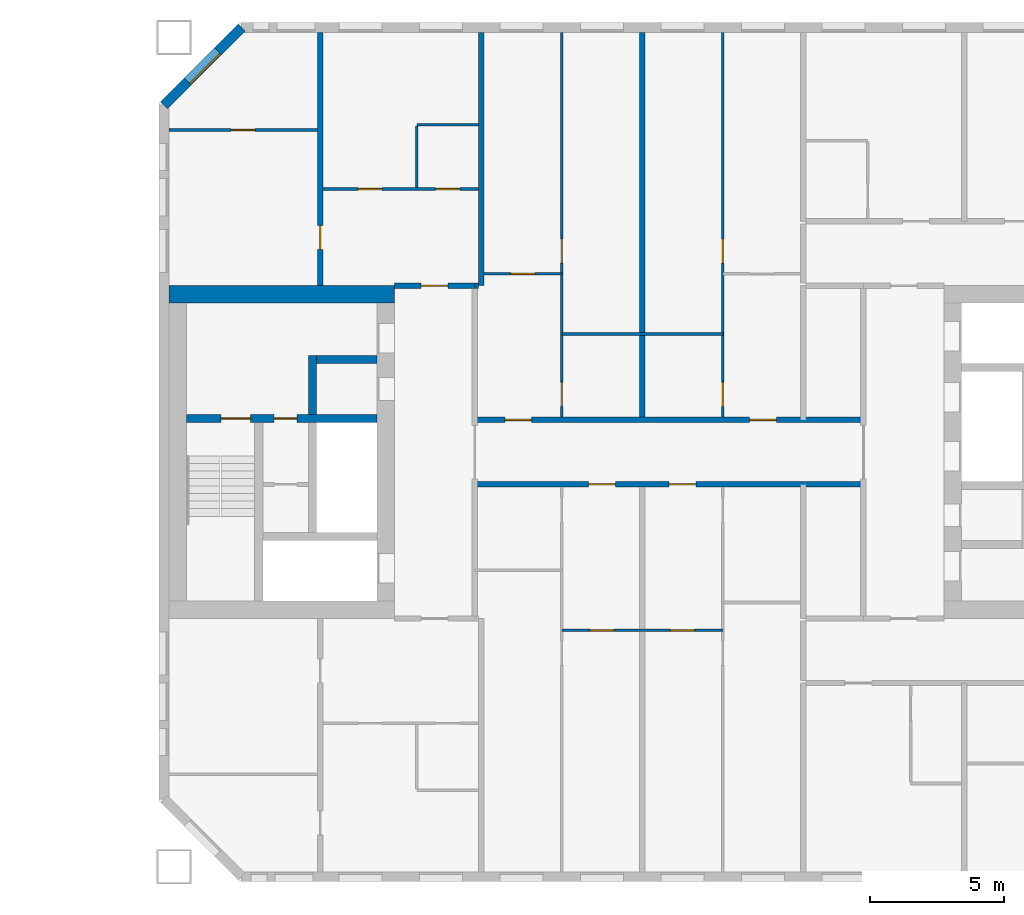
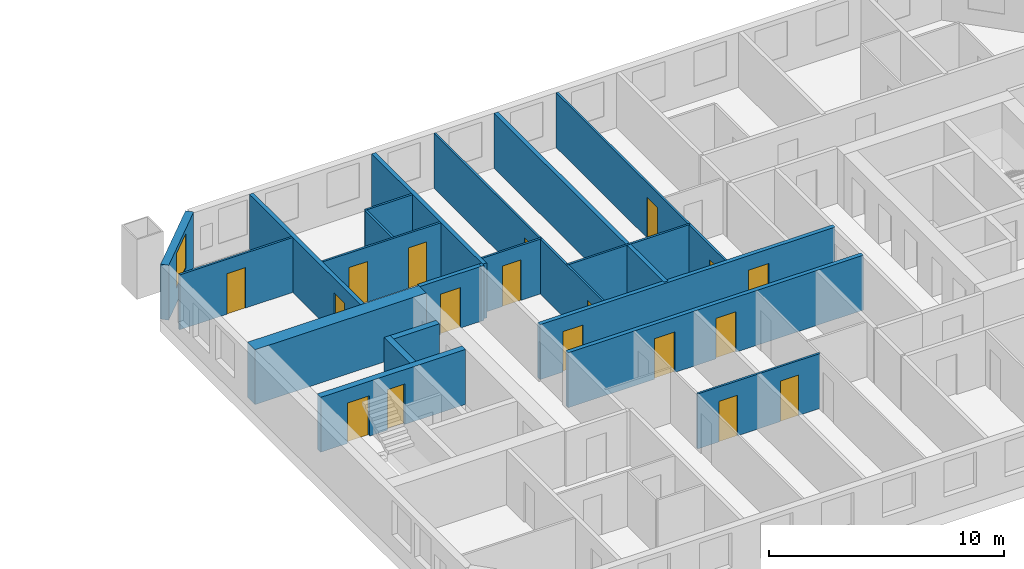
# One storey, part 11 of 16: 21 walls, 18 doors, 1 window, 19 openings.
"""IFC4 building model written with IfcOpenShell, lengths in metres."""

from ifc_helpers import new_model, si_unit, direction, frame, frame_2d, origin, place, context, subcontext, project, spatial, rectangle, extrude, material, layer, layer_set, type_object, element, fill, save


model = new_model("IFC4")

# Units and contexts
model_context = context("Model", 3, precision=1e-05, world=origin(), true_north=direction((0.0, 1.0)))
body_context = subcontext(model_context, "Body", "Model", "MODEL_VIEW")
ifc_project = project(units=[si_unit("LENGTHUNIT", "METRE"), si_unit("AREAUNIT", "SQUARE_METRE"), si_unit("VOLUMEUNIT", "CUBIC_METRE"), si_unit("PLANEANGLEUNIT", "RADIAN"), si_unit("MASSUNIT", "GRAM", prefix="KILO")], contexts=[model_context])

# Site, building, storey
site_placement = place(None, origin())
site = spatial("IfcSite", under=ifc_project, at=site_placement, CompositionType="ELEMENT")
building_placement = place(site_placement, origin())
building = spatial("IfcBuilding", under=site, at=building_placement, Name="Tuart Gate Housing", CompositionType="ELEMENT")
storey_placement = place(building_placement, frame((0.0, 0.0, 96.39990234375)))
storey = spatial("IfcBuildingStorey", under=building, at=storey_placement, Name="L26", CompositionType="ELEMENT", Elevation=96.39990234375)

# Wall, opening, window
ifc_material_1 = material(Name="Brick", Category="masonry")
ifc_layer_1 = layer(ifc_material_1, 0.360107421875)
ifc_layer_set_1 = layer_set([ifc_layer_1], Name="Brick pier and spandrel wall 360")
wall_type_1 = type_object("IfcWallType", Name="Brick pier and spandrel wall 360", PredefinedType="STANDARD", material=ifc_layer_set_1)
wall_1_placement = place(storey_placement, frame((134.07470703125, 85.820068359375, 0.0), z_axis=(0.0, 0.0, 1.0), x_axis=(-0.707106781187, -0.707106781187, 0.0)))
wall_1 = element("IfcWall", 1, at=wall_1_placement, inside=storey, type_object=wall_type_1, Name="External wall B-NW L26", PredefinedType="STANDARD", context=body_context, shape_type="SweptSolid", body=[
    extrude(rectangle(XDim=4.09375, YDim=0.360107421875, at=frame_2d((2.046875, 0.0))), origin(), (0.0, 0.0, 1.0), 2.85009765625),
])
opening_1_placement = place(wall_1_placement, frame((1.2470703125, 0.0, 0.800048828125)))
opening_1 = element("IfcOpeningElement", 2, at=opening_1_placement, cuts=wall_1, Name="Opening W1", PredefinedType="OPENING", context=body_context, shape_type="SweptSolid", body=[
    extrude(rectangle(XDim=1.60009765625, YDim=1.800048828125, at=frame_2d((0.800048828125, 0.89990234375))), frame((0.0, 0.18994140625, 0.0), z_axis=(0.0, -1.0, 0.0), x_axis=(1.0, 0.0, 0.0)), (0.0, 0.0, 1.0), 0.380126953125),
])
ifc_material_2 = material(Name="Aluminium frame with clear glass", Category="aluminium")
window_type = type_object("IfcWindowType", Name="Punched window 1600 x 1800", PartitioningType="SINGLE_PANEL", PredefinedType="WINDOW", material=ifc_material_2)
window_placement = place(opening_1_placement, origin())
window = element("IfcWindow", 3, at=window_placement, inside=storey, type_object=window_type, Name="Window W1", OverallHeight=1.800048828125, OverallWidth=1.60009765625, PartitioningType="SINGLE_PANEL", PredefinedType="WINDOW", context=body_context, shape_type="SweptSolid", body=[
    extrude(rectangle(XDim=1.60009765625, YDim=1.800048828125, at=frame_2d((0.800048828125, 0.89990234375))), frame((0.0, 0.150146484375, 0.0), z_axis=(0.0, -1.0, 0.0), x_axis=(1.0, 0.0, 0.0)), (0.0, 0.0, 1.0), 0.06005859375),
])
fill(opening_1, window)

# Wall, openings, doors
ifc_material_3 = material(Name="Concrete C50", Category="concrete")
ifc_layer_2 = layer(ifc_material_3, 0.300048828125)
ifc_layer_set_2 = layer_set([ifc_layer_2], Name="Core wall 300 C50")
wall_type_2 = type_object("IfcWallType", Name="Core wall 300 C50", PredefinedType="SHEAR", material=ifc_layer_set_2)
wall_2_placement = place(storey_placement, frame((139.110107421875, 71.25, 0.0), z_axis=(0.0, 0.0, 1.0), x_axis=(-1.0, 0.0, 0.0)))
wall_2 = element("IfcWall", 4, at=wall_2_placement, inside=storey, type_object=wall_type_2, Name="Core wall BG.3", PredefinedType="SHEAR", context=body_context, shape_type="SweptSolid", body=[
    extrude(rectangle(XDim=7.10009765625, YDim=0.300048828125, at=frame_2d((3.550048828125, 0.0))), origin(), (0.0, 0.0, 1.0), 2.85009765625),
])
opening_2_placement = place(wall_2_placement, frame((4.699951171875, 0.0, 0.0)))
opening_2 = element("IfcOpeningElement", 5, at=opening_2_placement, cuts=wall_2, Name="Opening D1144", PredefinedType="OPENING", context=body_context, shape_type="SweptSolid", body=[
    extrude(rectangle(XDim=1.10009765625, YDim=2.10009765625, at=frame_2d((0.550048828125, 1.050048828125))), frame((0.0, 0.159912109375, 0.0), z_axis=(0.0, -1.0, 0.0), x_axis=(1.0, 0.0, 0.0)), (0.0, 0.0, 1.0), 0.320068359375),
])
opening_3_placement = place(wall_2_placement, frame((2.97509765625, 0.0, 0.0)))
opening_3 = element("IfcOpeningElement", 6, at=opening_3_placement, cuts=wall_2, Name="Opening D1143", PredefinedType="OPENING", context=body_context, shape_type="SweptSolid", body=[
    extrude(rectangle(XDim=0.85009765625, YDim=2.10009765625, at=frame_2d((0.425048828125, 1.050048828125))), frame((0.0, 0.159912109375, 0.0), z_axis=(0.0, -1.0, 0.0), x_axis=(1.0, 0.0, 0.0)), (0.0, 0.0, 1.0), 0.320068359375),
])
ifc_material_4 = material(Name="Steel fire door", Category="steel")
door_type_1 = type_object("IfcDoorType", Name="Riser door 850 x 2100", OperationType="SINGLE_SWING_LEFT", PredefinedType="DOOR", material=ifc_material_4)
door_1_placement = place(opening_3_placement, origin())
door_1 = element("IfcDoor", 7, at=door_1_placement, inside=storey, type_object=door_type_1, Name="Service room door BG.W1", OperationType="SINGLE_SWING_LEFT", OverallHeight=2.10009765625, OverallWidth=0.85009765625, PredefinedType="DOOR", context=body_context, shape_type="SweptSolid", body=[
    extrude(rectangle(XDim=0.85009765625, YDim=2.10009765625, at=frame_2d((0.425048828125, 1.050048828125))), frame((0.0, 0.02490234375, 0.0), z_axis=(0.0, -1.0, 0.0), x_axis=(1.0, 0.0, 0.0)), (0.0, 0.0, 1.0), 0.050048828125),
])
fill(opening_3, door_1)
ifc_material_5 = material(Name="Steel fire door", Category="steel")
door_type_2 = type_object("IfcDoorType", Name="Stair door 1100 x 2100", OperationType="SINGLE_SWING_LEFT", PredefinedType="DOOR", material=ifc_material_5)
door_2_placement = place(opening_2_placement, origin())
door_2 = element("IfcDoor", 8, at=door_2_placement, inside=storey, type_object=door_type_2, Name="Stair door BG.SD", OperationType="SINGLE_SWING_LEFT", OverallHeight=2.10009765625, OverallWidth=1.10009765625, PredefinedType="DOOR", context=body_context, shape_type="SweptSolid", body=[
    extrude(rectangle(XDim=1.10009765625, YDim=2.10009765625, at=frame_2d((0.550048828125, 1.050048828125))), frame((0.0, 0.02490234375, 0.0), z_axis=(0.0, -1.0, 0.0), x_axis=(1.0, 0.0, 0.0)), (0.0, 0.0, 1.0), 0.050048828125),
])
fill(opening_2, door_2)

# Walls
wall_3_placement = place(storey_placement, frame((139.110107421875, 73.449951171875, 0.0), z_axis=(0.0, 0.0, 1.0), x_axis=(-1.0, 0.0, 0.0)))
element("IfcWall", 9, at=wall_3_placement, inside=storey, type_object=wall_type_2, Name="Core wall BG.4", PredefinedType="SHEAR", context=body_context, shape_type="SweptSolid", body=[
    extrude(rectangle(XDim=2.25, YDim=0.300048828125, at=frame_2d((1.125, 0.0))), origin(), (0.0, 0.0, 1.0), 2.85009765625),
])
wall_4_placement = place(storey_placement, frame((136.7099609375, 71.39990234375, 0.0), z_axis=(0.0, 0.0, 1.0), x_axis=(0.0, 1.0, 0.0)))
element("IfcWall", 10, at=wall_4_placement, inside=storey, type_object=wall_type_2, Name="Core wall BG.6", PredefinedType="SHEAR", context=body_context, shape_type="SweptSolid", body=[
    extrude(rectangle(XDim=2.2001953125, YDim=0.300048828125, at=frame_2d((1.10009765625, 0.0))), origin(), (0.0, 0.0, 1.0), 2.85009765625),
])
ifc_material_6 = material(Name="Concrete C50", Category="concrete")
ifc_layer_3 = layer(ifc_material_6, 0.64990234375)
ifc_layer_set_3 = layer_set([ifc_layer_3], Name="Core wall 650 C50")
wall_type_3 = type_object("IfcWallType", Name="Core wall 650 C50", PredefinedType="SHEAR", material=ifc_layer_set_3)
wall_5_placement = place(storey_placement, frame((139.760009765625, 75.875, 0.0), z_axis=(0.0, 0.0, 1.0), x_axis=(-1.0, 0.0, 0.0)))
element("IfcWall", 11, at=wall_5_placement, inside=storey, type_object=wall_type_3, Name="Core wall BG north", PredefinedType="SHEAR", context=body_context, shape_type="SweptSolid", body=[
    extrude(rectangle(XDim=8.39990234375, YDim=0.64990234375, at=frame_2d((4.199951171875, 0.0))), origin(), (0.0, 0.0, 1.0), 2.85009765625),
])

# Wall, openings, doors
ifc_material_7 = material(Name="Concrete masonry 15 MPa", Category="masonry")
ifc_layer_4 = layer(ifc_material_7, 0.199951171875)
ifc_layer_set_4 = layer_set([ifc_layer_4], Name="Corridor wall masonry 200")
wall_type_4 = type_object("IfcWallType", Name="Corridor wall masonry 200", PredefinedType="PARTITIONING", material=ifc_layer_set_4)
wall_6_placement = place(storey_placement, frame((142.760009765625, 68.800048828125, 0.0), z_axis=(0.0, 0.0, 1.0), x_axis=(1.0, 0.0, 0.0)))
wall_6 = element("IfcWall", 12, at=wall_6_placement, inside=storey, type_object=wall_type_4, Name="Corridor wall masonry 200", PredefinedType="PARTITIONING", context=body_context, shape_type="SweptSolid", body=[
    extrude(rectangle(XDim=14.47998046875, YDim=0.199951171875, at=frame_2d((7.239990234375, 0.0))), origin(), (0.0, 0.0, 1.0), 2.85009765625),
])
opening_4_placement = place(wall_6_placement, frame((4.239990234375, 0.0, 0.0)))
opening_4 = element("IfcOpeningElement", 13, at=opening_4_placement, cuts=wall_6, Name="Opening D1156", PredefinedType="OPENING", context=body_context, shape_type="SweptSolid", body=[
    extrude(rectangle(XDim=1.0, YDim=2.10009765625, at=frame_2d((0.5, 1.050048828125))), frame((0.0, 0.10986328125, 0.0), z_axis=(0.0, -1.0, 0.0), x_axis=(1.0, 0.0, 0.0)), (0.0, 0.0, 1.0), 0.219970703125),
])
opening_5_placement = place(wall_6_placement, frame((7.239990234375, 0.0, 0.0)))
opening_5 = element("IfcOpeningElement", 14, at=opening_5_placement, cuts=wall_6, Name="Opening D1157", PredefinedType="OPENING", context=body_context, shape_type="SweptSolid", body=[
    extrude(rectangle(XDim=1.0, YDim=2.10009765625, at=frame_2d((0.5, 1.050048828125))), frame((0.0, 0.10986328125, 0.0), z_axis=(0.0, -1.0, 0.0), x_axis=(1.0, 0.0, 0.0)), (0.0, 0.0, 1.0), 0.219970703125),
])
ifc_material_8 = material(Name="Timber door leaf in steel frame", Category="steel")
door_type_3 = type_object("IfcDoorType", Name="Flat entrance door 1000 RH", OperationType="SINGLE_SWING_RIGHT", PredefinedType="DOOR", material=ifc_material_8)
door_3_placement = place(opening_4_placement, frame((1.0, 0.0, 0.0), z_axis=(0.0, 0.0, 1.0), x_axis=(-1.0, 0.0, 0.0)))
door_3 = element("IfcDoor", 15, at=door_3_placement, inside=storey, type_object=door_type_3, Name="Flat entrance door", OperationType="SINGLE_SWING_RIGHT", OverallHeight=2.10009765625, OverallWidth=1.0, PredefinedType="DOOR", context=body_context, shape_type="SweptSolid", body=[
    extrude(rectangle(XDim=1.0, YDim=2.10009765625, at=frame_2d((0.5, 1.050048828125))), frame((0.0, 0.025146484375, 0.0), z_axis=(0.0, -1.0, 0.0), x_axis=(1.0, 0.0, 0.0)), (0.0, 0.0, 1.0), 0.050048828125),
])
fill(opening_4, door_3)
door_4_placement = place(opening_5_placement, frame((1.0, 0.0, 0.0), z_axis=(0.0, 0.0, 1.0), x_axis=(-1.0, 0.0, 0.0)))
door_4 = element("IfcDoor", 16, at=door_4_placement, inside=storey, type_object=door_type_3, Name="Flat entrance door", OperationType="SINGLE_SWING_RIGHT", OverallHeight=2.10009765625, OverallWidth=1.0, PredefinedType="DOOR", context=body_context, shape_type="SweptSolid", body=[
    extrude(rectangle(XDim=1.0, YDim=2.10009765625, at=frame_2d((0.5, 1.050048828125))), frame((0.0, 0.025146484375, 0.0), z_axis=(0.0, -1.0, 0.0), x_axis=(1.0, 0.0, 0.0)), (0.0, 0.0, 1.0), 0.050048828125),
])
fill(opening_5, door_4)

wall_7_placement = place(storey_placement, frame((142.760009765625, 71.199951171875, 0.0), z_axis=(0.0, 0.0, 1.0), x_axis=(1.0, 0.0, 0.0)))
wall_7 = element("IfcWall", 17, at=wall_7_placement, inside=storey, type_object=wall_type_4, Name="Corridor wall masonry 200", PredefinedType="PARTITIONING", context=body_context, shape_type="SweptSolid", body=[
    extrude(rectangle(XDim=14.47998046875, YDim=0.199951171875, at=frame_2d((7.239990234375, 0.0))), origin(), (0.0, 0.0, 1.0), 2.85009765625),
])
opening_6_placement = place(wall_7_placement, frame((1.1201171875, 0.0, 0.0)))
opening_6 = element("IfcOpeningElement", 18, at=opening_6_placement, cuts=wall_7, Name="Opening D1145", PredefinedType="OPENING", context=body_context, shape_type="SweptSolid", body=[
    extrude(rectangle(XDim=1.0, YDim=2.10009765625, at=frame_2d((0.5, 1.050048828125))), frame((0.0, 0.10986328125, 0.0), z_axis=(0.0, -1.0, 0.0), x_axis=(1.0, 0.0, 0.0)), (0.0, 0.0, 1.0), 0.219970703125),
])
opening_7_placement = place(wall_7_placement, frame((10.239990234375, 0.0, 0.0)))
opening_7 = element("IfcOpeningElement", 19, at=opening_7_placement, cuts=wall_7, Name="Opening D1146", PredefinedType="OPENING", context=body_context, shape_type="SweptSolid", body=[
    extrude(rectangle(XDim=1.0, YDim=2.10009765625, at=frame_2d((0.5, 1.050048828125))), frame((0.0, 0.10986328125, 0.0), z_axis=(0.0, -1.0, 0.0), x_axis=(1.0, 0.0, 0.0)), (0.0, 0.0, 1.0), 0.219970703125),
])
ifc_material_9 = material(Name="Timber door leaf in steel frame", Category="steel")
door_type_4 = type_object("IfcDoorType", Name="Flat entrance door 1000", OperationType="SINGLE_SWING_LEFT", PredefinedType="DOOR", material=ifc_material_9)
door_5_placement = place(opening_6_placement, origin())
door_5 = element("IfcDoor", 20, at=door_5_placement, inside=storey, type_object=door_type_4, Name="Flat entrance door", OperationType="SINGLE_SWING_LEFT", OverallHeight=2.10009765625, OverallWidth=1.0, PredefinedType="DOOR", context=body_context, shape_type="SweptSolid", body=[
    extrude(rectangle(XDim=1.0, YDim=2.10009765625, at=frame_2d((0.5, 1.050048828125))), frame((0.0, 0.02490234375, 0.0), z_axis=(0.0, -1.0, 0.0), x_axis=(1.0, 0.0, 0.0)), (0.0, 0.0, 1.0), 0.050048828125),
])
fill(opening_6, door_5)
door_6_placement = place(opening_7_placement, origin())
door_6 = element("IfcDoor", 21, at=door_6_placement, inside=storey, type_object=door_type_4, Name="Flat entrance door", OperationType="SINGLE_SWING_LEFT", OverallHeight=2.10009765625, OverallWidth=1.0, PredefinedType="DOOR", context=body_context, shape_type="SweptSolid", body=[
    extrude(rectangle(XDim=1.0, YDim=2.10009765625, at=frame_2d((0.5, 1.050048828125))), frame((0.0, 0.02490234375, 0.0), z_axis=(0.0, -1.0, 0.0), x_axis=(1.0, 0.0, 0.0)), (0.0, 0.0, 1.0), 0.050048828125),
])
fill(opening_7, door_6)

# Wall, opening, door
ifc_material_10 = material(Name="Concrete masonry 15 MPa", Category="masonry")
ifc_layer_5 = layer(ifc_material_10, 0.199951171875)
ifc_layer_set_5 = layer_set([ifc_layer_5], Name="Enclosure wall masonry 200")
wall_type_5 = type_object("IfcWallType", Name="Enclosure wall masonry 200", PredefinedType="PARTITIONING", material=ifc_layer_set_5)
wall_8_placement = place(storey_placement, frame((139.760009765625, 76.199951171875, 0.0), z_axis=(0.0, 0.0, 1.0), x_axis=(1.0, 0.0, 0.0)))
wall_8 = element("IfcWall", 22, at=wall_8_placement, inside=storey, type_object=wall_type_5, Name="Enclosure wall masonry 200", PredefinedType="PARTITIONING", context=body_context, shape_type="SweptSolid", body=[
    extrude(rectangle(XDim=3.0, YDim=0.199951171875, at=frame_2d((1.5, 0.0))), origin(), (0.0, 0.0, 1.0), 2.85009765625),
])
opening_8_placement = place(wall_8_placement, frame((1.0, 0.0, 0.0)))
opening_8 = element("IfcOpeningElement", 23, at=opening_8_placement, cuts=wall_8, Name="Opening D1141", PredefinedType="OPENING", context=body_context, shape_type="SweptSolid", body=[
    extrude(rectangle(XDim=1.0, YDim=2.10009765625, at=frame_2d((0.5, 1.050048828125))), frame((0.0, 0.10986328125, 0.0), z_axis=(0.0, -1.0, 0.0), x_axis=(1.0, 0.0, 0.0)), (0.0, 0.0, 1.0), 0.219970703125),
])
door_7_placement = place(opening_8_placement, origin())
door_7 = element("IfcDoor", 24, at=door_7_placement, inside=storey, type_object=door_type_3, Name="Flat entrance door", OperationType="SINGLE_SWING_RIGHT", OverallHeight=2.10009765625, OverallWidth=1.0, PredefinedType="DOOR", context=body_context, shape_type="SweptSolid", body=[
    extrude(rectangle(XDim=1.0, YDim=2.10009765625, at=frame_2d((0.5, 1.050048828125))), frame((0.0, 0.02490234375, 0.0), z_axis=(0.0, -1.0, 0.0), x_axis=(1.0, 0.0, 0.0)), (0.0, 0.0, 1.0), 0.050048828125),
])
fill(opening_8, door_7)

# Wall, openings, doors
ifc_material_11 = material(Name="Gypsum board on steel studs", Category="steel")
ifc_layer_6 = layer(ifc_material_11, 0.10009765625)
ifc_layer_set_6 = layer_set([ifc_layer_6], Name="Partition 100")
wall_type_6 = type_object("IfcWallType", Name="Partition 100", PredefinedType="PARTITIONING", material=ifc_layer_set_6)
wall_9_placement = place(storey_placement, frame((146.0, 63.360107421875, 0.0), z_axis=(0.0, 0.0, 1.0), x_axis=(1.0, 0.0, 0.0)))
wall_9 = element("IfcWall", 25, at=wall_9_placement, inside=storey, type_object=wall_type_6, Name="Partition 100", PredefinedType="PARTITIONING", context=body_context, shape_type="SweptSolid", body=[
    extrude(rectangle(XDim=6.0, YDim=0.10009765625, at=frame_2d((3.0, 0.0))), origin(), (0.0, 0.0, 1.0), 2.85009765625),
])
opening_9_placement = place(wall_9_placement, frame((1.050048828125, 0.0, 0.0)))
opening_9 = element("IfcOpeningElement", 26, at=opening_9_placement, cuts=wall_9, Name="Opening D1162", PredefinedType="OPENING", context=body_context, shape_type="SweptSolid", body=[
    extrude(rectangle(XDim=0.89990234375, YDim=2.10009765625, at=frame_2d((0.449951171875, 1.050048828125))), frame((0.0, 0.06005859375, 0.0), z_axis=(0.0, -1.0, 0.0), x_axis=(1.0, 0.0, 0.0)), (0.0, 0.0, 1.0), 0.1201171875),
])
opening_10_placement = place(wall_9_placement, frame((4.050048828125, 0.0, 0.0)))
opening_10 = element("IfcOpeningElement", 27, at=opening_10_placement, cuts=wall_9, Name="Opening D1163", PredefinedType="OPENING", context=body_context, shape_type="SweptSolid", body=[
    extrude(rectangle(XDim=0.89990234375, YDim=2.10009765625, at=frame_2d((0.449951171875, 1.050048828125))), frame((0.0, 0.06005859375, 0.0), z_axis=(0.0, -1.0, 0.0), x_axis=(1.0, 0.0, 0.0)), (0.0, 0.0, 1.0), 0.1201171875),
])
ifc_material_12 = material(Name="Timber door leaf in steel frame", Category="steel")
door_type_5 = type_object("IfcDoorType", Name="Internal door 900", OperationType="SINGLE_SWING_LEFT", PredefinedType="DOOR", material=ifc_material_12)
door_8_placement = place(opening_9_placement, origin())
door_8 = element("IfcDoor", 28, at=door_8_placement, inside=storey, type_object=door_type_5, Name="Internal door", OperationType="SINGLE_SWING_LEFT", OverallHeight=2.10009765625, OverallWidth=0.89990234375, PredefinedType="DOOR", context=body_context, shape_type="SweptSolid", body=[
    extrude(rectangle(XDim=0.89990234375, YDim=2.10009765625, at=frame_2d((0.449951171875, 1.050048828125))), frame((0.0, 0.02490234375, 0.0), z_axis=(0.0, -1.0, 0.0), x_axis=(1.0, 0.0, 0.0)), (0.0, 0.0, 1.0), 0.050048828125),
])
fill(opening_9, door_8)
door_9_placement = place(opening_10_placement, origin())
door_9 = element("IfcDoor", 29, at=door_9_placement, inside=storey, type_object=door_type_5, Name="Internal door", OperationType="SINGLE_SWING_LEFT", OverallHeight=2.10009765625, OverallWidth=0.89990234375, PredefinedType="DOOR", context=body_context, shape_type="SweptSolid", body=[
    extrude(rectangle(XDim=0.89990234375, YDim=2.10009765625, at=frame_2d((0.449951171875, 1.050048828125))), frame((0.0, 0.02490234375, 0.0), z_axis=(0.0, -1.0, 0.0), x_axis=(1.0, 0.0, 0.0)), (0.0, 0.0, 1.0), 0.050048828125),
])
fill(opening_10, door_9)

# Wall
wall_10_placement = place(storey_placement, frame((146.0, 74.39990234375, 0.0), z_axis=(0.0, 0.0, 1.0), x_axis=(1.0, 0.0, 0.0)))
element("IfcWall", 30, at=wall_10_placement, inside=storey, type_object=wall_type_6, Name="Partition 100", PredefinedType="PARTITIONING", context=body_context, shape_type="SweptSolid", body=[
    extrude(rectangle(XDim=6.0, YDim=0.10009765625, at=frame_2d((3.0, 0.0))), origin(), (0.0, 0.0, 1.0), 2.85009765625),
])

# Wall, opening, door
wall_11_placement = place(storey_placement, frame((143.10009765625, 76.639892578125, 0.0), z_axis=(0.0, 0.0, 1.0), x_axis=(1.0, 0.0, 0.0)))
wall_11 = element("IfcWall", 31, at=wall_11_placement, inside=storey, type_object=wall_type_6, Name="Partition 100", PredefinedType="PARTITIONING", context=body_context, shape_type="SweptSolid", body=[
    extrude(rectangle(XDim=2.89990234375, YDim=0.10009765625, at=frame_2d((1.449951171875, 0.0))), origin(), (0.0, 0.0, 1.0), 2.85009765625),
])
opening_11_placement = place(wall_11_placement, frame((1.0, 0.0, 0.0)))
opening_11 = element("IfcOpeningElement", 32, at=opening_11_placement, cuts=wall_11, Name="Opening D1139", PredefinedType="OPENING", context=body_context, shape_type="SweptSolid", body=[
    extrude(rectangle(XDim=0.89990234375, YDim=2.10009765625, at=frame_2d((0.449951171875, 1.050048828125))), frame((0.0, 0.06005859375, 0.0), z_axis=(0.0, -1.0, 0.0), x_axis=(1.0, 0.0, 0.0)), (0.0, 0.0, 1.0), 0.1201171875),
])
door_10_placement = place(opening_11_placement, frame((0.89990234375, 0.0, 0.0), z_axis=(0.0, 0.0, 1.0), x_axis=(-1.0, 0.0, 0.0)))
door_10 = element("IfcDoor", 33, at=door_10_placement, inside=storey, type_object=door_type_5, Name="Internal door", OperationType="SINGLE_SWING_LEFT", OverallHeight=2.10009765625, OverallWidth=0.89990234375, PredefinedType="DOOR", context=body_context, shape_type="SweptSolid", body=[
    extrude(rectangle(XDim=0.89990234375, YDim=2.10009765625, at=frame_2d((0.449951171875, 1.050048828125))), frame((0.0, 0.025146484375, 0.0), z_axis=(0.0, -1.0, 0.0), x_axis=(1.0, 0.0, 0.0)), (0.0, 0.0, 1.0), 0.050048828125),
])
fill(opening_11, door_10)

# Wall, openings, doors
wall_12_placement = place(storey_placement, frame((137.10009765625, 79.800048828125, 0.0), z_axis=(0.0, 0.0, 1.0), x_axis=(1.0, 0.0, 0.0)))
wall_12 = element("IfcWall", 34, at=wall_12_placement, inside=storey, type_object=wall_type_6, Name="Partition 100", PredefinedType="PARTITIONING", context=body_context, shape_type="SweptSolid", body=[
    extrude(rectangle(XDim=5.7998046875, YDim=0.10009765625, at=frame_2d((2.89990234375, 0.0))), origin(), (0.0, 0.0, 1.0), 2.85009765625),
])
opening_12_placement = place(wall_12_placement, frame((1.300048828125, 0.0, 0.0)))
opening_12 = element("IfcOpeningElement", 35, at=opening_12_placement, cuts=wall_12, Name="Opening D1131", PredefinedType="OPENING", context=body_context, shape_type="SweptSolid", body=[
    extrude(rectangle(XDim=0.89990234375, YDim=2.10009765625, at=frame_2d((0.449951171875, 1.050048828125))), frame((0.0, 0.06005859375, 0.0), z_axis=(0.0, -1.0, 0.0), x_axis=(1.0, 0.0, 0.0)), (0.0, 0.0, 1.0), 0.1201171875),
])
opening_13_placement = place(wall_12_placement, frame((4.199951171875, 0.0, 0.0)))
opening_13 = element("IfcOpeningElement", 36, at=opening_13_placement, cuts=wall_12, Name="Opening D1130", PredefinedType="OPENING", context=body_context, shape_type="SweptSolid", body=[
    extrude(rectangle(XDim=0.89990234375, YDim=2.10009765625, at=frame_2d((0.449951171875, 1.050048828125))), frame((0.0, 0.06005859375, 0.0), z_axis=(0.0, -1.0, 0.0), x_axis=(1.0, 0.0, 0.0)), (0.0, 0.0, 1.0), 0.1201171875),
])
ifc_material_13 = material(Name="Timber door leaf in steel frame", Category="steel")
door_type_6 = type_object("IfcDoorType", Name="Bathroom door 900", OperationType="SINGLE_SWING_LEFT", PredefinedType="DOOR", material=ifc_material_13)
door_11_placement = place(opening_13_placement, origin())
door_11 = element("IfcDoor", 37, at=door_11_placement, inside=storey, type_object=door_type_6, Name="Bathroom door", OperationType="SINGLE_SWING_LEFT", OverallHeight=2.10009765625, OverallWidth=0.89990234375, PredefinedType="DOOR", context=body_context, shape_type="SweptSolid", body=[
    extrude(rectangle(XDim=0.89990234375, YDim=2.10009765625, at=frame_2d((0.449951171875, 1.050048828125))), frame((0.0, 0.02490234375, 0.0), z_axis=(0.0, -1.0, 0.0), x_axis=(1.0, 0.0, 0.0)), (0.0, 0.0, 1.0), 0.050048828125),
])
fill(opening_13, door_11)
ifc_material_14 = material(Name="Timber door leaf in steel frame", Category="steel")
door_type_7 = type_object("IfcDoorType", Name="Internal door 900 RH", OperationType="SINGLE_SWING_RIGHT", PredefinedType="DOOR", material=ifc_material_14)
door_12_placement = place(opening_12_placement, origin())
door_12 = element("IfcDoor", 38, at=door_12_placement, inside=storey, type_object=door_type_7, Name="Internal door", OperationType="SINGLE_SWING_RIGHT", OverallHeight=2.10009765625, OverallWidth=0.89990234375, PredefinedType="DOOR", context=body_context, shape_type="SweptSolid", body=[
    extrude(rectangle(XDim=0.89990234375, YDim=2.10009765625, at=frame_2d((0.449951171875, 1.050048828125))), frame((0.0, 0.02490234375, 0.0), z_axis=(0.0, -1.0, 0.0), x_axis=(1.0, 0.0, 0.0)), (0.0, 0.0, 1.0), 0.050048828125),
])
fill(opening_12, door_12)

# Wall, opening, door
wall_13_placement = place(storey_placement, frame((131.360107421875, 82.0, 0.0), z_axis=(0.0, 0.0, 1.0), x_axis=(1.0, 0.0, 0.0)))
wall_13 = element("IfcWall", 39, at=wall_13_placement, inside=storey, type_object=wall_type_6, Name="Partition 100", PredefinedType="PARTITIONING", context=body_context, shape_type="SweptSolid", body=[
    extrude(rectangle(XDim=5.539794921875, YDim=0.10009765625, at=frame_2d((2.77001953125, 0.0))), origin(), (0.0, 0.0, 1.0), 2.85009765625),
])
opening_14_placement = place(wall_13_placement, frame((2.320068359375, 0.0, 0.0)))
opening_14 = element("IfcOpeningElement", 40, at=opening_14_placement, cuts=wall_13, Name="Opening D1125", PredefinedType="OPENING", context=body_context, shape_type="SweptSolid", body=[
    extrude(rectangle(XDim=0.89990234375, YDim=2.10009765625, at=frame_2d((0.449951171875, 1.050048828125))), frame((0.0, 0.06005859375, 0.0), z_axis=(0.0, -1.0, 0.0), x_axis=(1.0, 0.0, 0.0)), (0.0, 0.0, 1.0), 0.1201171875),
])
door_13_placement = place(opening_14_placement, origin())
door_13 = element("IfcDoor", 41, at=door_13_placement, inside=storey, type_object=door_type_5, Name="Internal door", OperationType="SINGLE_SWING_LEFT", OverallHeight=2.10009765625, OverallWidth=0.89990234375, PredefinedType="DOOR", context=body_context, shape_type="SweptSolid", body=[
    extrude(rectangle(XDim=0.89990234375, YDim=2.10009765625, at=frame_2d((0.449951171875, 1.050048828125))), frame((0.0, 0.02490234375, 0.0), z_axis=(0.0, -1.0, 0.0), x_axis=(1.0, 0.0, 0.0)), (0.0, 0.0, 1.0), 0.050048828125),
])
fill(opening_14, door_13)

# Walls
for number, where, z_axis, x_axis, name in (
    (42, (140.60009765625, 82.199951171875, 0.0), (0.0, 0.0, 1.0), (1.0, 0.0, 0.0), "Partition 100"),
    (43, (140.60009765625, 79.85009765625, 0.0), (0.0, 0.0, 1.0), (0.0, 1.0, 0.0), "Partition 100"),
):
    element("IfcWall", number, at=place(storey_placement, frame(where, z_axis=z_axis, x_axis=x_axis)), inside=storey, type_object=wall_type_6, Name=name, PredefinedType="PARTITIONING", context=body_context, shape_type="SweptSolid", body=[
        extrude(rectangle(XDim=2.2998046875, YDim=0.10009765625, at=frame_2d((1.14990234375, 0.0))), origin(), (0.0, 0.0, 1.0), 2.85009765625),
    ])

# Wall, openings, doors
wall_14_placement = place(storey_placement, frame((146.0, 71.300048828125, 0.0), z_axis=(0.0, 0.0, 1.0), x_axis=(0.0, 1.0, 0.0)))
wall_14 = element("IfcWall", 44, at=wall_14_placement, inside=storey, type_object=wall_type_6, Name="Partition 100", PredefinedType="PARTITIONING", context=body_context, shape_type="SweptSolid", body=[
    extrude(rectangle(XDim=14.33984375, YDim=0.10009765625, at=frame_2d((7.169921875, 0.0))), origin(), (0.0, 0.0, 1.0), 2.85009765625),
])
opening_15_placement = place(wall_14_placement, frame((5.739990234375, 0.0, 0.0)))
opening_15 = element("IfcOpeningElement", 45, at=opening_15_placement, cuts=wall_14, Name="Opening D1136", PredefinedType="OPENING", context=body_context, shape_type="SweptSolid", body=[
    extrude(rectangle(XDim=0.89990234375, YDim=2.10009765625, at=frame_2d((0.449951171875, 1.050048828125))), frame((0.0, 0.06005859375, 0.0), z_axis=(0.0, -1.0, 0.0), x_axis=(1.0, 0.0, 0.0)), (0.0, 0.0, 1.0), 0.1201171875),
])
opening_16_placement = place(wall_14_placement, frame((0.39990234375, 0.0, 0.0)))
opening_16 = element("IfcOpeningElement", 46, at=opening_16_placement, cuts=wall_14, Name="Opening D1135", PredefinedType="OPENING", context=body_context, shape_type="SweptSolid", body=[
    extrude(rectangle(XDim=0.89990234375, YDim=2.10009765625, at=frame_2d((0.449951171875, 1.050048828125))), frame((0.0, 0.06005859375, 0.0), z_axis=(0.0, -1.0, 0.0), x_axis=(1.0, 0.0, 0.0)), (0.0, 0.0, 1.0), 0.1201171875),
])
ifc_material_15 = material(Name="Timber door leaf in steel frame", Category="steel")
door_type_8 = type_object("IfcDoorType", Name="Bathroom door 900 RH", OperationType="SINGLE_SWING_RIGHT", PredefinedType="DOOR", material=ifc_material_15)
door_14_placement = place(opening_16_placement, frame((0.89990234375, 0.0, 0.0), z_axis=(0.0, 0.0, 1.0), x_axis=(-1.0, 0.0, 0.0)))
door_14 = element("IfcDoor", 47, at=door_14_placement, inside=storey, type_object=door_type_8, Name="Bathroom door", OperationType="SINGLE_SWING_RIGHT", OverallHeight=2.10009765625, OverallWidth=0.89990234375, PredefinedType="DOOR", context=body_context, shape_type="SweptSolid", body=[
    extrude(rectangle(XDim=0.89990234375, YDim=2.10009765625, at=frame_2d((0.449951171875, 1.050048828125))), frame((0.0, 0.025146484375, 0.0), z_axis=(0.0, -1.0, 0.0), x_axis=(1.0, 0.0, 0.0)), (0.0, 0.0, 1.0), 0.050048828125),
])
fill(opening_16, door_14)
door_15_placement = place(opening_15_placement, frame((0.89990234375, 0.0, 0.0), z_axis=(0.0, 0.0, 1.0), x_axis=(-1.0, 0.0, 0.0)))
door_15 = element("IfcDoor", 48, at=door_15_placement, inside=storey, type_object=door_type_7, Name="Internal door", OperationType="SINGLE_SWING_RIGHT", OverallHeight=2.10009765625, OverallWidth=0.89990234375, PredefinedType="DOOR", context=body_context, shape_type="SweptSolid", body=[
    extrude(rectangle(XDim=0.89990234375, YDim=2.10009765625, at=frame_2d((0.449951171875, 1.050048828125))), frame((0.0, 0.025146484375, 0.0), z_axis=(0.0, -1.0, 0.0), x_axis=(1.0, 0.0, 0.0)), (0.0, 0.0, 1.0), 0.050048828125),
])
fill(opening_15, door_15)

wall_15_placement = place(storey_placement, frame((152.0, 71.300048828125, 0.0), z_axis=(0.0, 0.0, 1.0), x_axis=(0.0, 1.0, 0.0)))
wall_15 = element("IfcWall", 49, at=wall_15_placement, inside=storey, type_object=wall_type_6, Name="Partition 100", PredefinedType="PARTITIONING", context=body_context, shape_type="SweptSolid", body=[
    extrude(rectangle(XDim=14.33984375, YDim=0.10009765625, at=frame_2d((7.169921875, 0.0))), origin(), (0.0, 0.0, 1.0), 2.85009765625),
])
opening_17_placement = place(wall_15_placement, frame((5.739990234375, 0.0, 0.0)))
opening_17 = element("IfcOpeningElement", 50, at=opening_17_placement, cuts=wall_15, Name="Opening D1138", PredefinedType="OPENING", context=body_context, shape_type="SweptSolid", body=[
    extrude(rectangle(XDim=0.89990234375, YDim=2.10009765625, at=frame_2d((0.449951171875, 1.050048828125))), frame((0.0, 0.06005859375, 0.0), z_axis=(0.0, -1.0, 0.0), x_axis=(1.0, 0.0, 0.0)), (0.0, 0.0, 1.0), 0.1201171875),
])
opening_18_placement = place(wall_15_placement, frame((0.39990234375, 0.0, 0.0)))
opening_18 = element("IfcOpeningElement", 51, at=opening_18_placement, cuts=wall_15, Name="Opening D1137", PredefinedType="OPENING", context=body_context, shape_type="SweptSolid", body=[
    extrude(rectangle(XDim=0.89990234375, YDim=2.10009765625, at=frame_2d((0.449951171875, 1.050048828125))), frame((0.0, 0.06005859375, 0.0), z_axis=(0.0, -1.0, 0.0), x_axis=(1.0, 0.0, 0.0)), (0.0, 0.0, 1.0), 0.1201171875),
])
door_16_placement = place(opening_18_placement, origin())
door_16 = element("IfcDoor", 52, at=door_16_placement, inside=storey, type_object=door_type_6, Name="Bathroom door", OperationType="SINGLE_SWING_LEFT", OverallHeight=2.10009765625, OverallWidth=0.89990234375, PredefinedType="DOOR", context=body_context, shape_type="SweptSolid", body=[
    extrude(rectangle(XDim=0.89990234375, YDim=2.10009765625, at=frame_2d((0.449951171875, 1.050048828125))), frame((0.0, 0.02490234375, 0.0), z_axis=(0.0, -1.0, 0.0), x_axis=(1.0, 0.0, 0.0)), (0.0, 0.0, 1.0), 0.050048828125),
])
fill(opening_18, door_16)
door_17_placement = place(opening_17_placement, origin())
door_17 = element("IfcDoor", 53, at=door_17_placement, inside=storey, type_object=door_type_5, Name="Internal door", OperationType="SINGLE_SWING_LEFT", OverallHeight=2.10009765625, OverallWidth=0.89990234375, PredefinedType="DOOR", context=body_context, shape_type="SweptSolid", body=[
    extrude(rectangle(XDim=0.89990234375, YDim=2.10009765625, at=frame_2d((0.449951171875, 1.050048828125))), frame((0.0, 0.02490234375, 0.0), z_axis=(0.0, -1.0, 0.0), x_axis=(1.0, 0.0, 0.0)), (0.0, 0.0, 1.0), 0.050048828125),
])
fill(opening_17, door_17)

# Wall, opening, door
ifc_material_16 = material(Name="Concrete C40", Category="concrete")
ifc_layer_7 = layer(ifc_material_16, 0.199951171875)
ifc_layer_set_7 = layer_set([ifc_layer_7], Name="Party wall concrete C40 200")
wall_type_7 = type_object("IfcWallType", Name="Party wall concrete C40 200", PredefinedType="SOLIDWALL", material=ifc_layer_set_7)
wall_16_placement = place(storey_placement, frame((137.0, 76.199951171875, 0.0), z_axis=(0.0, 0.0, 1.0), x_axis=(0.0, 1.0, 0.0)))
wall_16 = element("IfcWall", 54, at=wall_16_placement, inside=storey, type_object=wall_type_7, Name="Party wall concrete C40 200", PredefinedType="SOLIDWALL", context=body_context, shape_type="SweptSolid", body=[
    extrude(rectangle(XDim=9.43994140625, YDim=0.199951171875, at=frame_2d((4.719970703125, 0.0))), origin(), (0.0, 0.0, 1.0), 2.85009765625),
])
opening_19_placement = place(wall_16_placement, frame((1.35009765625, 0.0, 0.0)))
opening_19 = element("IfcOpeningElement", 55, at=opening_19_placement, cuts=wall_16, Name="Opening D1126", PredefinedType="OPENING", context=body_context, shape_type="SweptSolid", body=[
    extrude(rectangle(XDim=0.89990234375, YDim=2.10009765625, at=frame_2d((0.449951171875, 1.050048828125))), frame((0.0, 0.10986328125, 0.0), z_axis=(0.0, -1.0, 0.0), x_axis=(1.0, 0.0, 0.0)), (0.0, 0.0, 1.0), 0.219970703125),
])
door_18_placement = place(opening_19_placement, frame((0.89990234375, 0.0, 0.0), z_axis=(0.0, 0.0, 1.0), x_axis=(-1.0, 0.0, 0.0)))
door_18 = element("IfcDoor", 56, at=door_18_placement, inside=storey, type_object=door_type_7, Name="Internal door", OperationType="SINGLE_SWING_RIGHT", OverallHeight=2.10009765625, OverallWidth=0.89990234375, PredefinedType="DOOR", context=body_context, shape_type="SweptSolid", body=[
    extrude(rectangle(XDim=0.89990234375, YDim=2.10009765625, at=frame_2d((0.449951171875, 1.050048828125))), frame((0.0, 0.025146484375, 0.0), z_axis=(0.0, -1.0, 0.0), x_axis=(1.0, 0.0, 0.0)), (0.0, 0.0, 1.0), 0.050048828125),
])
fill(opening_19, door_18)

# Walls
wall_17_placement = place(storey_placement, frame((143.0, 76.199951171875, 0.0), z_axis=(0.0, 0.0, 1.0), x_axis=(0.0, 1.0, 0.0)))
element("IfcWall", 57, at=wall_17_placement, inside=storey, type_object=wall_type_7, Name="Party wall concrete C40 200", PredefinedType="SOLIDWALL", context=body_context, shape_type="SweptSolid", body=[
    extrude(rectangle(XDim=9.43994140625, YDim=0.199951171875, at=frame_2d((4.719970703125, 0.0))), origin(), (0.0, 0.0, 1.0), 2.85009765625),
])
wall_18_placement = place(storey_placement, frame((149.0, 71.199951171875, 0.0), z_axis=(0.0, 0.0, 1.0), x_axis=(0.0, 1.0, 0.0)))
element("IfcWall", 58, at=wall_18_placement, inside=storey, type_object=wall_type_7, Name="Party wall concrete C40 200", PredefinedType="SOLIDWALL", context=body_context, shape_type="SweptSolid", body=[
    extrude(rectangle(XDim=14.43994140625, YDim=0.199951171875, at=frame_2d((7.219970703125, 0.0))), origin(), (0.0, 0.0, 1.0), 2.85009765625),
])
ifc_material_17 = material(Name="Concrete masonry 15 MPa", Category="masonry")
ifc_layer_8 = layer(ifc_material_17, 0.199951171875)
ifc_layer_set_8 = layer_set([ifc_layer_8], Name="Party wall masonry 200")
wall_type_8 = type_object("IfcWallType", Name="Party wall masonry 200", PredefinedType="PARTITIONING", material=ifc_layer_set_8)
wall_19_placement = place(storey_placement, frame((142.760009765625, 76.199951171875, 0.0), z_axis=(0.0, 0.0, 1.0), x_axis=(1.0, 0.0, 0.0)))
element("IfcWall", 59, at=wall_19_placement, inside=storey, type_object=wall_type_8, Name="Party wall masonry 200", PredefinedType="PARTITIONING", context=body_context, shape_type="SweptSolid", body=[
    extrude(rectangle(XDim=0.139892578125, YDim=0.199951171875, at=frame_2d((0.06982421875, 0.0))), origin(), (0.0, 0.0, 1.0), 2.85009765625),
])

save(model, "model.ifc")
